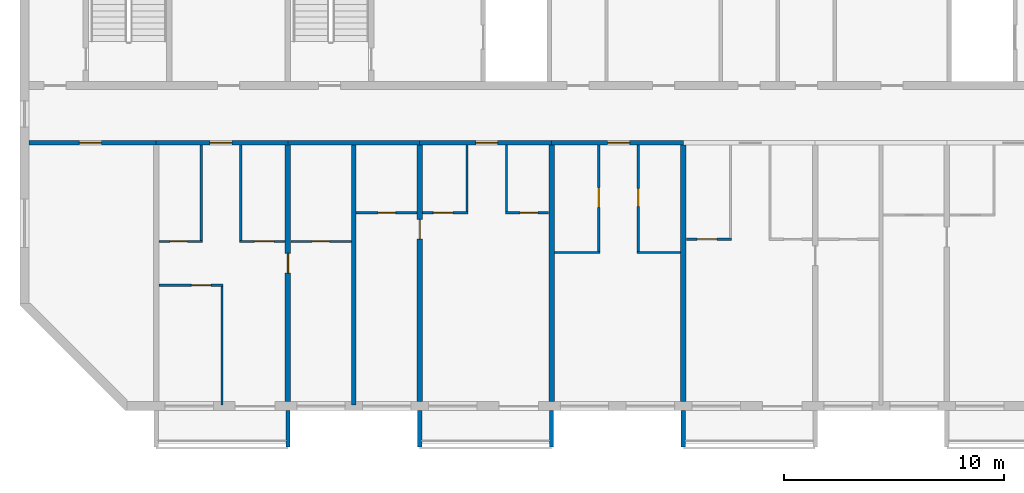
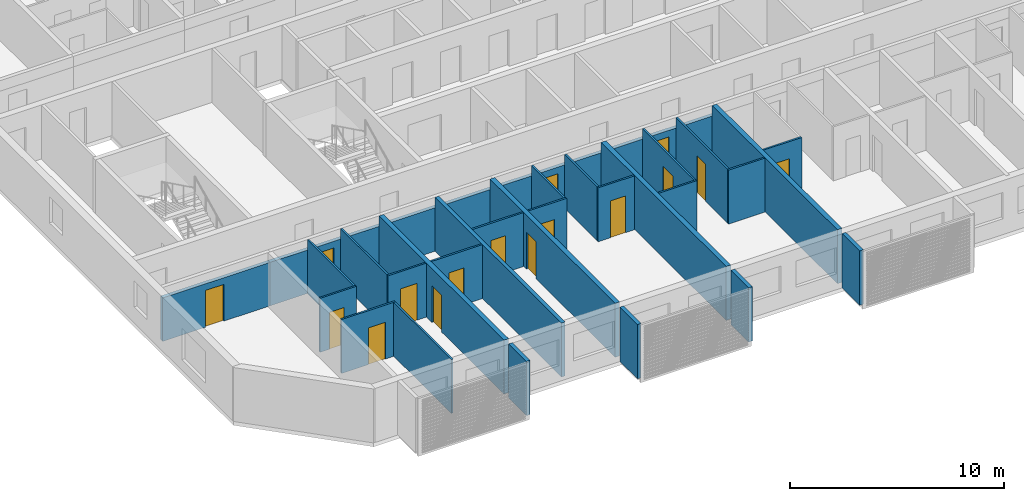
# One storey, part 2 of 27: 31 walls, 16 doors, 16 openings.
"""IFC4 building model written with IfcOpenShell, lengths in metres."""

from ifc_helpers import new_model, si_unit, direction, frame, frame_2d, origin, place, context, subcontext, project, spatial, polyline, rectangle, outline, extrude, source, transform, mapped, material, layer, layer_set, type_object, element, fill, save


model = new_model("IFC4")

# Units and contexts
model_context = context("Model", 3, precision=1e-05, world=origin(), true_north=direction((0.0, 1.0)))
body_context = subcontext(model_context, "Body", "Model", "MODEL_VIEW")
ifc_project = project(units=[si_unit("LENGTHUNIT", "METRE"), si_unit("AREAUNIT", "SQUARE_METRE"), si_unit("VOLUMEUNIT", "CUBIC_METRE"), si_unit("PLANEANGLEUNIT", "RADIAN"), si_unit("MASSUNIT", "GRAM", prefix="KILO")], contexts=[model_context])

# Site, building, storey
site_placement = place(None, origin())
site = spatial("IfcSite", under=ifc_project, at=site_placement, CompositionType="ELEMENT")
building_placement = place(site_placement, origin())
building = spatial("IfcBuilding", under=site, at=building_placement, Name="Poui Terraces", CompositionType="ELEMENT")
storey_placement = place(building_placement, frame((0.0, 0.0, 254.39990234375)))
storey = spatial("IfcBuildingStorey", under=building, at=storey_placement, Name="L71", CompositionType="ELEMENT", Elevation=254.39990234375)

# Wall, opening, door
ifc_material_1 = material(Name="Concrete 50 MPa", Category="concrete")
ifc_layer_1 = layer(ifc_material_1, 0.199951171875)
ifc_layer_set_1 = layer_set([ifc_layer_1], Name="Concrete 50 MPa")
wall_type_1 = type_object("IfcWallType", Name="CORRIDOR WALL 200 50MPa", PredefinedType="SHEAR", material=ifc_layer_set_1)
wall_1_placement = place(storey_placement, frame((18.199951171875, 12.0, 0.0), z_axis=(0.0, 0.0, 1.0), x_axis=(1.0, 0.0, 0.0)))
wall_1 = element("IfcWall", 1, at=wall_1_placement, inside=storey, type_object=wall_type_1, Name="CORRIDOR WALL LINE B BAY 1", PredefinedType="SHEAR", context=body_context, shape_type="SweptSolid", body=[
    extrude(rectangle(XDim=5.800048828125, YDim=0.199951171875, at=frame_2d((2.89990234375, 0.0))), origin(), (0.0, 0.0, 1.0), 2.47998046875),
])
opening_1_placement = place(wall_1_placement, frame((2.300048828125, 0.0, 0.0)))
opening_1 = element("IfcOpeningElement", 2, at=opening_1_placement, cuts=wall_1, Name="Opening D100", PredefinedType="OPENING", context=body_context, shape_type="SweptSolid", body=[
    extrude(rectangle(XDim=1.0, YDim=2.10009765625, at=frame_2d((0.5, 1.050048828125))), frame((0.0, 0.10986328125, 0.0), z_axis=(0.0, -1.0, 0.0), x_axis=(1.0, 0.0, 0.0)), (0.0, 0.0, 1.0), 0.219970703125),
])
ifc_material_2 = material(Name="Solid core timber door", Category="wood")
door_type_1 = type_object("IfcDoorType", Name="ACCESSIBLE INTERNAL DOOR 1000 X 2100", OperationType="NOTDEFINED", PredefinedType="DOOR", material=ifc_material_2)
door_1_placement = place(opening_1_placement, frame((1.0, 0.0, 0.0), z_axis=(0.0, 0.0, 1.0), x_axis=(-1.0, 0.0, 0.0)))
door_1 = element("IfcDoor", 3, at=door_1_placement, inside=storey, type_object=door_type_1, Name="ACCESSIBLE INTERNAL DOOR 061", OperationType="SINGLE_SWING_RIGHT", OverallHeight=2.10009765625, OverallWidth=1.0, PredefinedType="DOOR", context=body_context, shape_type="SweptSolid", body=[
    extrude(rectangle(XDim=1.0, YDim=2.10009765625, at=frame_2d((0.5, 1.050048828125))), frame((0.0, 0.02490234375, 0.0), z_axis=(0.0, -1.0, 0.0), x_axis=(1.0, 0.0, 0.0)), (0.0, 0.0, 1.0), 0.050048828125),
])
fill(opening_1, door_1)

wall_2_placement = place(storey_placement, frame((24.0, 12.0, 0.0), z_axis=(0.0, 0.0, 1.0), x_axis=(1.0, 0.0, 0.0)))
wall_2 = element("IfcWall", 4, at=wall_2_placement, inside=storey, type_object=wall_type_1, Name="CORRIDOR WALL LINE B BAY 2", PredefinedType="SHEAR", context=body_context, shape_type="SweptSolid", body=[
    extrude(rectangle(XDim=6.0, YDim=0.199951171875, at=frame_2d((3.0, 0.0))), origin(), (0.0, 0.0, 1.0), 2.47998046875),
])
opening_2_placement = place(wall_2_placement, frame((2.449951171875, 0.0, 0.0)))
opening_2 = element("IfcOpeningElement", 5, at=opening_2_placement, cuts=wall_2, Name="Opening FD30S", PredefinedType="OPENING", context=body_context, shape_type="SweptSolid", body=[
    extrude(rectangle(XDim=1.0, YDim=2.10009765625, at=frame_2d((0.5, 1.050048828125))), frame((0.0, 0.10986328125, 0.0), z_axis=(0.0, -1.0, 0.0), x_axis=(1.0, 0.0, 0.0)), (0.0, 0.0, 1.0), 0.219970703125),
])
ifc_material_3 = material(Name="Steel fire door", Category="steel")
door_type_2 = type_object("IfcDoorType", Name="FLAT ENTRANCE DOOR 1000 X 2100", OperationType="NOTDEFINED", PredefinedType="DOOR", material=ifc_material_3)
door_2_placement = place(opening_2_placement, frame((1.0, 0.0, 0.0), z_axis=(0.0, 0.0, 1.0), x_axis=(-1.0, 0.0, 0.0)))
door_2 = element("IfcDoor", 6, at=door_2_placement, inside=storey, type_object=door_type_2, Name="FLAT ENTRANCE DOOR 065", OperationType="SINGLE_SWING_RIGHT", OverallHeight=2.10009765625, OverallWidth=1.0, PredefinedType="DOOR", context=body_context, shape_type="SweptSolid", body=[
    extrude(rectangle(XDim=1.0, YDim=2.10009765625, at=frame_2d((0.5, 1.050048828125))), frame((0.0, 0.02490234375, 0.0), z_axis=(0.0, -1.0, 0.0), x_axis=(1.0, 0.0, 0.0)), (0.0, 0.0, 1.0), 0.050048828125),
])
fill(opening_2, door_2)

# Wall
wall_3_placement = place(storey_placement, frame((30.0, 12.0, 0.0), z_axis=(0.0, 0.0, 1.0), x_axis=(1.0, 0.0, 0.0)))
element("IfcWall", 7, at=wall_3_placement, inside=storey, type_object=wall_type_1, Name="CORRIDOR WALL LINE B BAY 3", PredefinedType="SHEAR", context=body_context, shape_type="SweptSolid", body=[
    extrude(rectangle(XDim=6.0, YDim=0.199951171875, at=frame_2d((3.0, 0.0))), origin(), (0.0, 0.0, 1.0), 2.47998046875),
])

# Wall, opening, door
wall_4_placement = place(storey_placement, frame((36.0, 12.0, 0.0), z_axis=(0.0, 0.0, 1.0), x_axis=(1.0, 0.0, 0.0)))
wall_4 = element("IfcWall", 8, at=wall_4_placement, inside=storey, type_object=wall_type_1, Name="CORRIDOR WALL LINE B BAY 4", PredefinedType="SHEAR", context=body_context, shape_type="SweptSolid", body=[
    extrude(rectangle(XDim=6.0, YDim=0.199951171875, at=frame_2d((3.0, 0.0))), origin(), (0.0, 0.0, 1.0), 2.47998046875),
])
opening_3_placement = place(wall_4_placement, frame((2.550048828125, 0.0, 0.0)))
opening_3 = element("IfcOpeningElement", 9, at=opening_3_placement, cuts=wall_4, Name="Opening FD30S", PredefinedType="OPENING", context=body_context, shape_type="SweptSolid", body=[
    extrude(rectangle(XDim=1.0, YDim=2.10009765625, at=frame_2d((0.5, 1.050048828125))), frame((0.0, 0.10986328125, 0.0), z_axis=(0.0, -1.0, 0.0), x_axis=(1.0, 0.0, 0.0)), (0.0, 0.0, 1.0), 0.219970703125),
])
door_3_placement = place(opening_3_placement, frame((1.0, 0.0, 0.0), z_axis=(0.0, 0.0, 1.0), x_axis=(-1.0, 0.0, 0.0)))
door_3 = element("IfcDoor", 10, at=door_3_placement, inside=storey, type_object=door_type_2, Name="FLAT ENTRANCE DOOR 071", OperationType="SINGLE_SWING_LEFT", OverallHeight=2.10009765625, OverallWidth=1.0, PredefinedType="DOOR", context=body_context, shape_type="SweptSolid", body=[
    extrude(rectangle(XDim=1.0, YDim=2.10009765625, at=frame_2d((0.5, 1.050048828125))), frame((0.0, 0.02490234375, 0.0), z_axis=(0.0, -1.0, 0.0), x_axis=(1.0, 0.0, 0.0)), (0.0, 0.0, 1.0), 0.050048828125),
])
fill(opening_3, door_3)

wall_5_placement = place(storey_placement, frame((42.0, 12.0, 0.0), z_axis=(0.0, 0.0, 1.0), x_axis=(1.0, 0.0, 0.0)))
wall_5 = element("IfcWall", 11, at=wall_5_placement, inside=storey, type_object=wall_type_1, Name="CORRIDOR WALL LINE B BAY 5", PredefinedType="SHEAR", context=body_context, shape_type="SweptSolid", body=[
    extrude(rectangle(XDim=6.0, YDim=0.199951171875, at=frame_2d((3.0, 0.0))), origin(), (0.0, 0.0, 1.0), 2.47998046875),
])
opening_4_placement = place(wall_5_placement, frame((2.550048828125, 0.0, 0.0)))
opening_4 = element("IfcOpeningElement", 12, at=opening_4_placement, cuts=wall_5, Name="Opening FD30S", PredefinedType="OPENING", context=body_context, shape_type="SweptSolid", body=[
    extrude(rectangle(XDim=1.0, YDim=2.10009765625, at=frame_2d((0.5, 1.050048828125))), frame((0.0, 0.10986328125, 0.0), z_axis=(0.0, -1.0, 0.0), x_axis=(1.0, 0.0, 0.0)), (0.0, 0.0, 1.0), 0.219970703125),
])
door_4_placement = place(opening_4_placement, frame((1.0, 0.0, 0.0), z_axis=(0.0, 0.0, 1.0), x_axis=(-1.0, 0.0, 0.0)))
door_4 = element("IfcDoor", 13, at=door_4_placement, inside=storey, type_object=door_type_2, Name="FLAT ENTRANCE DOOR 074", OperationType="SINGLE_SWING_LEFT", OverallHeight=2.10009765625, OverallWidth=1.0, PredefinedType="DOOR", context=body_context, shape_type="SweptSolid", body=[
    extrude(rectangle(XDim=1.0, YDim=2.10009765625, at=frame_2d((0.5, 1.050048828125))), frame((0.0, 0.02490234375, 0.0), z_axis=(0.0, -1.0, 0.0), x_axis=(1.0, 0.0, 0.0)), (0.0, 0.0, 1.0), 0.050048828125),
])
fill(opening_4, door_4)

ifc_layer_2 = layer(ifc_material_1, 0.25)
ifc_layer_set_2 = layer_set([ifc_layer_2], Name="Concrete 50 MPa")
wall_type_2 = type_object("IfcWallType", Name="CROSS WALL 250 50MPa", PredefinedType="SHEAR", material=ifc_layer_set_2)
wall_6_placement = place(storey_placement, frame((30.0, 0.199951171875, 0.0), z_axis=(0.0, 0.0, 1.0), x_axis=(0.0, 1.0, 0.0)))
wall_6 = element("IfcWall", 14, at=wall_6_placement, inside=storey, type_object=wall_type_2, Name="CROSS WALL LINE 6 SOUTH", PredefinedType="SHEAR", context=body_context, shape_type="SweptSolid", body=[
    extrude(rectangle(XDim=11.699951171875, YDim=0.25, at=frame_2d((5.85009765625, 0.0))), origin(), (0.0, 0.0, 1.0), 3.080078125),
])
opening_5_placement = place(wall_6_placement, frame((5.85009765625, 0.0, 0.0)))
opening_5 = element("IfcOpeningElement", 15, at=opening_5_placement, cuts=wall_6, Name="Opening D90", PredefinedType="OPENING", context=body_context, shape_type="SweptSolid", body=[
    extrude(rectangle(XDim=0.89990234375, YDim=2.10009765625, at=frame_2d((0.449951171875, 1.050048828125))), frame((0.0, 0.135009765625, 0.0), z_axis=(0.0, -1.0, 0.0), x_axis=(1.0, 0.0, 0.0)), (0.0, 0.0, 1.0), 0.27001953125),
])
door_type_3 = type_object("IfcDoorType", Name="INTERNAL DOOR 900 X 2100", OperationType="NOTDEFINED", PredefinedType="DOOR", material=ifc_material_2)
door_5_placement = place(opening_5_placement, frame((0.89990234375, 0.0, 0.0), z_axis=(0.0, 0.0, 1.0), x_axis=(-1.0, 0.0, 0.0)))
door_5 = element("IfcDoor", 16, at=door_5_placement, inside=storey, type_object=door_type_3, Name="INTERNAL DOOR 067", OperationType="SINGLE_SWING_LEFT", OverallHeight=2.10009765625, OverallWidth=0.89990234375, PredefinedType="DOOR", context=body_context, shape_type="SweptSolid", body=[
    extrude(rectangle(XDim=0.89990234375, YDim=2.10009765625, at=frame_2d((0.449951171875, 1.050048828125))), frame((0.0, 0.02490234375, 0.0), z_axis=(0.0, -1.0, 0.0), x_axis=(1.0, 0.0, 0.0)), (0.0, 0.0, 1.0), 0.050048828125),
])
fill(opening_5, door_5)

wall_7_placement = place(storey_placement, frame((36.0, 0.199951171875, 0.0), z_axis=(0.0, 0.0, 1.0), x_axis=(0.0, 1.0, 0.0)))
wall_7 = element("IfcWall", 17, at=wall_7_placement, inside=storey, type_object=wall_type_2, Name="CROSS WALL LINE 7 SOUTH", PredefinedType="SHEAR", context=body_context, shape_type="SweptSolid", body=[
    extrude(rectangle(XDim=11.699951171875, YDim=0.25, at=frame_2d((5.85009765625, 0.0))), origin(), (0.0, 0.0, 1.0), 3.080078125),
])
opening_6_placement = place(wall_7_placement, frame((7.39990234375, 0.0, 0.0)))
opening_6 = element("IfcOpeningElement", 18, at=opening_6_placement, cuts=wall_7, Name="Opening D90", PredefinedType="OPENING", context=body_context, shape_type="SweptSolid", body=[
    extrude(rectangle(XDim=0.89990234375, YDim=2.10009765625, at=frame_2d((0.449951171875, 1.050048828125))), frame((0.0, 0.135009765625, 0.0), z_axis=(0.0, -1.0, 0.0), x_axis=(1.0, 0.0, 0.0)), (0.0, 0.0, 1.0), 0.27001953125),
])
door_6_placement = place(opening_6_placement, origin())
door_6 = element("IfcDoor", 19, at=door_6_placement, inside=storey, type_object=door_type_3, Name="INTERNAL DOOR 069", OperationType="SINGLE_SWING_RIGHT", OverallHeight=2.10009765625, OverallWidth=0.89990234375, PredefinedType="DOOR", context=body_context, shape_type="SweptSolid", body=[
    extrude(rectangle(XDim=0.89990234375, YDim=2.10009765625, at=frame_2d((0.449951171875, 1.050048828125))), frame((0.0, 0.02490234375, 0.0), z_axis=(0.0, -1.0, 0.0), x_axis=(1.0, 0.0, 0.0)), (0.0, 0.0, 1.0), 0.050048828125),
])
fill(opening_6, door_6)

# Walls
for number, where, z_axis, x_axis, name in (
    (20, (42.0, 0.199951171875, 0.0), (0.0, 0.0, 1.0), (0.0, 1.0, 0.0), "CROSS WALL LINE 8 SOUTH"),
    (21, (48.0, 0.199951171875, 0.0), (0.0, 0.0, 1.0), (0.0, 1.0, 0.0), "CROSS WALL LINE 9 SOUTH"),
):
    element("IfcWall", number, at=place(storey_placement, frame(where, z_axis=z_axis, x_axis=x_axis)), inside=storey, type_object=wall_type_2, Name=name, PredefinedType="SHEAR", context=body_context, shape_type="SweptSolid", body=[
        extrude(rectangle(XDim=11.699951171875, YDim=0.25, at=frame_2d((5.85009765625, 0.0))), origin(), (0.0, 0.0, 1.0), 3.080078125),
    ])

# Wall, opening, door
ifc_material_4 = material(Name="Plasterboard partition")
ifc_layer_3 = layer(ifc_material_4, 0.10009765625)
ifc_layer_set_3 = layer_set([ifc_layer_3], Name="Plasterboard partition")
wall_type_3 = type_object("IfcWallType", Name="FLAT PARTITION 100", PredefinedType="PARTITIONING", material=ifc_layer_set_3)
wall_8_placement = place(storey_placement, frame((24.135009765625, 5.5, 0.0), z_axis=(0.0, 0.0, 1.0), x_axis=(1.0, 0.0, 0.0)))
wall_8 = element("IfcWall", 22, at=wall_8_placement, inside=storey, type_object=wall_type_3, Name="FLAT PARTITION 100", PredefinedType="PARTITIONING", context=body_context, shape_type="SweptSolid", body=[
    extrude(rectangle(XDim=2.9150390625, YDim=0.10009765625, at=frame_2d((1.45751953125, 0.0))), origin(), (0.0, 0.0, 1.0), 3.080078125),
])
opening_7_placement = place(wall_8_placement, frame((1.465087890625, 0.0, 0.0)))
opening_7 = element("IfcOpeningElement", 23, at=opening_7_placement, cuts=wall_8, Name="Opening D90", PredefinedType="OPENING", context=body_context, shape_type="SweptSolid", body=[
    extrude(rectangle(XDim=0.89990234375, YDim=2.10009765625, at=frame_2d((0.449951171875, 1.050048828125))), frame((0.0, 0.06005859375, 0.0), z_axis=(0.0, -1.0, 0.0), x_axis=(1.0, 0.0, 0.0)), (0.0, 0.0, 1.0), 0.1201171875),
])
door_7_placement = place(opening_7_placement, frame((0.89990234375, 0.0, 0.0), z_axis=(0.0, 0.0, 1.0), x_axis=(-1.0, 0.0, 0.0)))
door_7 = element("IfcDoor", 24, at=door_7_placement, inside=storey, type_object=door_type_3, Name="INTERNAL DOOR 064", OperationType="SINGLE_SWING_LEFT", OverallHeight=2.10009765625, OverallWidth=0.89990234375, PredefinedType="DOOR", context=body_context, shape_type="SweptSolid", body=[
    extrude(rectangle(XDim=0.89990234375, YDim=2.10009765625, at=frame_2d((0.449951171875, 1.050048828125))), frame((0.0, 0.02490234375, 0.0), z_axis=(0.0, -1.0, 0.0), x_axis=(1.0, 0.0, 0.0)), (0.0, 0.0, 1.0), 0.050048828125),
])
fill(opening_7, door_7)

# Walls
wall_9_placement = place(storey_placement, frame((42.135009765625, 7.0, 0.0), z_axis=(0.0, 0.0, 1.0), x_axis=(1.0, 0.0, 0.0)))
element("IfcWall", 25, at=wall_9_placement, inside=storey, type_object=wall_type_3, Name="FLAT PARTITION 100", PredefinedType="PARTITIONING", context=body_context, shape_type="SweptSolid", body=[
    extrude(rectangle(XDim=2.06494140625, YDim=0.10009765625, at=frame_2d((1.032470703125, 0.0))), origin(), (0.0, 0.0, 1.0), 3.080078125),
])
wall_10_placement = place(storey_placement, frame((45.89990234375, 7.0, 0.0), z_axis=(0.0, 0.0, 1.0), x_axis=(1.0, 0.0, 0.0)))
element("IfcWall", 26, at=wall_10_placement, inside=storey, type_object=wall_type_3, Name="FLAT PARTITION 100", PredefinedType="PARTITIONING", context=body_context, shape_type="SweptSolid", body=[
    extrude(rectangle(XDim=1.965087890625, YDim=0.10009765625, at=frame_2d((0.982421875, 0.0))), origin(), (0.0, 0.0, 1.0), 3.080078125),
])

# Wall, opening, door
wall_11_placement = place(storey_placement, frame((24.135009765625, 7.5, 0.0), z_axis=(0.0, 0.0, 1.0), x_axis=(1.0, 0.0, 0.0)))
wall_11 = element("IfcWall", 27, at=wall_11_placement, inside=storey, type_object=wall_type_3, Name="FLAT PARTITION 100", PredefinedType="PARTITIONING", context=body_context, shape_type="SweptSolid", body=[
    extrude(rectangle(XDim=1.965087890625, YDim=0.10009765625, at=frame_2d((0.982421875, 0.0))), origin(), (0.0, 0.0, 1.0), 3.080078125),
])
opening_8_placement = place(wall_11_placement, frame((0.489990234375, 0.0, 0.0)))
opening_8 = element("IfcOpeningElement", 28, at=opening_8_placement, cuts=wall_11, Name="Opening D80", PredefinedType="OPENING", context=body_context, shape_type="SweptSolid", body=[
    extrude(rectangle(XDim=0.800048828125, YDim=2.10009765625, at=frame_2d((0.39990234375, 1.050048828125))), frame((0.0, 0.06005859375, 0.0), z_axis=(0.0, -1.0, 0.0), x_axis=(1.0, 0.0, 0.0)), (0.0, 0.0, 1.0), 0.1201171875),
])
door_type_4 = type_object("IfcDoorType", Name="BATHROOM, LAUNDRY AND STORE DOOR 800 X 2100", OperationType="NOTDEFINED", PredefinedType="DOOR", material=ifc_material_2)
door_8_placement = place(opening_8_placement, origin())
door_8 = element("IfcDoor", 29, at=door_8_placement, inside=storey, type_object=door_type_4, Name="BATHROOM, LAUNDRY AND STORE DOOR 063", OperationType="SINGLE_SWING_RIGHT", OverallHeight=2.10009765625, OverallWidth=0.800048828125, PredefinedType="DOOR", context=body_context, shape_type="SweptSolid", body=[
    extrude(rectangle(XDim=0.800048828125, YDim=2.10009765625, at=frame_2d((0.39990234375, 1.050048828125))), frame((0.0, 0.02490234375, 0.0), z_axis=(0.0, -1.0, 0.0), x_axis=(1.0, 0.0, 0.0)), (0.0, 0.0, 1.0), 0.050048828125),
])
fill(opening_8, door_8)

wall_12_placement = place(storey_placement, frame((27.800048828125, 7.5, 0.0), z_axis=(0.0, 0.0, 1.0), x_axis=(1.0, 0.0, 0.0)))
wall_12 = element("IfcWall", 30, at=wall_12_placement, inside=storey, type_object=wall_type_3, Name="FLAT PARTITION 100", PredefinedType="PARTITIONING", context=body_context, shape_type="SweptSolid", body=[
    extrude(rectangle(XDim=2.06494140625, YDim=0.10009765625, at=frame_2d((1.032470703125, 0.0))), origin(), (0.0, 0.0, 1.0), 3.080078125),
])
opening_9_placement = place(wall_12_placement, frame((0.675048828125, 0.0, 0.0)))
opening_9 = element("IfcOpeningElement", 31, at=opening_9_placement, cuts=wall_12, Name="Opening D90", PredefinedType="OPENING", context=body_context, shape_type="SweptSolid", body=[
    extrude(rectangle(XDim=0.89990234375, YDim=2.10009765625, at=frame_2d((0.449951171875, 1.050048828125))), frame((0.0, 0.06005859375, 0.0), z_axis=(0.0, -1.0, 0.0), x_axis=(1.0, 0.0, 0.0)), (0.0, 0.0, 1.0), 0.1201171875),
])
door_9_placement = place(opening_9_placement, origin())
door_9 = element("IfcDoor", 32, at=door_9_placement, inside=storey, type_object=door_type_3, Name="INTERNAL DOOR 066", OperationType="SINGLE_SWING_LEFT", OverallHeight=2.10009765625, OverallWidth=0.89990234375, PredefinedType="DOOR", context=body_context, shape_type="SweptSolid", body=[
    extrude(rectangle(XDim=0.89990234375, YDim=2.10009765625, at=frame_2d((0.449951171875, 1.050048828125))), frame((0.0, 0.02490234375, 0.0), z_axis=(0.0, -1.0, 0.0), x_axis=(1.0, 0.0, 0.0)), (0.0, 0.0, 1.0), 0.050048828125),
])
fill(opening_9, door_9)

wall_13_placement = place(storey_placement, frame((30.135009765625, 7.5, 0.0), z_axis=(0.0, 0.0, 1.0), x_axis=(1.0, 0.0, 0.0)))
wall_13 = element("IfcWall", 33, at=wall_13_placement, inside=storey, type_object=wall_type_3, Name="FLAT PARTITION 100", PredefinedType="PARTITIONING", context=body_context, shape_type="SweptSolid", body=[
    extrude(rectangle(XDim=2.764892578125, YDim=0.10009765625, at=frame_2d((1.38232421875, 0.0))), origin(), (0.0, 0.0, 1.0), 3.080078125),
])
opening_10_placement = place(wall_13_placement, frame((0.965087890625, 0.0, 0.0)))
opening_10 = element("IfcOpeningElement", 34, at=opening_10_placement, cuts=wall_13, Name="Opening D80", PredefinedType="OPENING", context=body_context, shape_type="SweptSolid", body=[
    extrude(rectangle(XDim=0.800048828125, YDim=2.10009765625, at=frame_2d((0.39990234375, 1.050048828125))), frame((0.0, 0.06005859375, 0.0), z_axis=(0.0, -1.0, 0.0), x_axis=(1.0, 0.0, 0.0)), (0.0, 0.0, 1.0), 0.1201171875),
])
door_10_placement = place(opening_10_placement, origin())
door_10 = element("IfcDoor", 35, at=door_10_placement, inside=storey, type_object=door_type_4, Name="BATHROOM, LAUNDRY AND STORE DOOR 062", OperationType="SINGLE_SWING_RIGHT", OverallHeight=2.10009765625, OverallWidth=0.800048828125, PredefinedType="DOOR", context=body_context, shape_type="SweptSolid", body=[
    extrude(rectangle(XDim=0.800048828125, YDim=2.10009765625, at=frame_2d((0.39990234375, 1.050048828125))), frame((0.0, 0.02490234375, 0.0), z_axis=(0.0, -1.0, 0.0), x_axis=(1.0, 0.0, 0.0)), (0.0, 0.0, 1.0), 0.050048828125),
])
fill(opening_10, door_10)

wall_14_placement = place(storey_placement, frame((48.135009765625, 7.60009765625, 0.0), z_axis=(0.0, 0.0, 1.0), x_axis=(1.0, 0.0, 0.0)))
wall_14 = element("IfcWall", 36, at=wall_14_placement, inside=storey, type_object=wall_type_3, Name="FLAT PARTITION 100", PredefinedType="PARTITIONING", context=body_context, shape_type="SweptSolid", body=[
    extrude(rectangle(XDim=2.06494140625, YDim=0.10009765625, at=frame_2d((1.032470703125, 0.0))), origin(), (0.0, 0.0, 1.0), 3.080078125),
])
opening_11_placement = place(wall_14_placement, frame((0.489990234375, 0.0, 0.0)))
opening_11 = element("IfcOpeningElement", 37, at=opening_11_placement, cuts=wall_14, Name="Opening D90", PredefinedType="OPENING", context=body_context, shape_type="SweptSolid", body=[
    extrude(rectangle(XDim=0.89990234375, YDim=2.10009765625, at=frame_2d((0.449951171875, 1.050048828125))), frame((0.0, 0.06005859375, 0.0), z_axis=(0.0, -1.0, 0.0), x_axis=(1.0, 0.0, 0.0)), (0.0, 0.0, 1.0), 0.1201171875),
])
door_11_placement = place(opening_11_placement, origin())
door_11 = element("IfcDoor", 38, at=door_11_placement, inside=storey, type_object=door_type_3, Name="INTERNAL DOOR 077", OperationType="SINGLE_SWING_RIGHT", OverallHeight=2.10009765625, OverallWidth=0.89990234375, PredefinedType="DOOR", context=body_context, shape_type="SweptSolid", body=[
    extrude(rectangle(XDim=0.89990234375, YDim=2.10009765625, at=frame_2d((0.449951171875, 1.050048828125))), frame((0.0, 0.02490234375, 0.0), z_axis=(0.0, -1.0, 0.0), x_axis=(1.0, 0.0, 0.0)), (0.0, 0.0, 1.0), 0.050048828125),
])
fill(opening_11, door_11)

wall_15_placement = place(storey_placement, frame((33.10009765625, 8.800048828125, 0.0), z_axis=(0.0, 0.0, 1.0), x_axis=(1.0, 0.0, 0.0)))
wall_15 = element("IfcWall", 39, at=wall_15_placement, inside=storey, type_object=wall_type_3, Name="FLAT PARTITION 100", PredefinedType="PARTITIONING", context=body_context, shape_type="SweptSolid", body=[
    extrude(rectangle(XDim=2.764892578125, YDim=0.10009765625, at=frame_2d((1.38232421875, 0.0))), origin(), (0.0, 0.0, 1.0), 3.080078125),
])
opening_12_placement = place(wall_15_placement, frame((1.0, 0.0, 0.0)))
opening_12 = element("IfcOpeningElement", 40, at=opening_12_placement, cuts=wall_15, Name="Opening D80", PredefinedType="OPENING", context=body_context, shape_type="SweptSolid", body=[
    extrude(rectangle(XDim=0.800048828125, YDim=2.10009765625, at=frame_2d((0.39990234375, 1.050048828125))), frame((0.0, 0.06005859375, 0.0), z_axis=(0.0, -1.0, 0.0), x_axis=(1.0, 0.0, 0.0)), (0.0, 0.0, 1.0), 0.1201171875),
])
door_12_placement = place(opening_12_placement, origin())
door_12 = element("IfcDoor", 41, at=door_12_placement, inside=storey, type_object=door_type_4, Name="BATHROOM, LAUNDRY AND STORE DOOR 068", OperationType="SINGLE_SWING_LEFT", OverallHeight=2.10009765625, OverallWidth=0.800048828125, PredefinedType="DOOR", context=body_context, shape_type="SweptSolid", body=[
    extrude(rectangle(XDim=0.800048828125, YDim=2.10009765625, at=frame_2d((0.39990234375, 1.050048828125))), frame((0.0, 0.02490234375, 0.0), z_axis=(0.0, -1.0, 0.0), x_axis=(1.0, 0.0, 0.0)), (0.0, 0.0, 1.0), 0.050048828125),
])
fill(opening_12, door_12)

wall_16_placement = place(storey_placement, frame((36.135009765625, 8.800048828125, 0.0), z_axis=(0.0, 0.0, 1.0), x_axis=(1.0, 0.0, 0.0)))
wall_16 = element("IfcWall", 42, at=wall_16_placement, inside=storey, type_object=wall_type_3, Name="FLAT PARTITION 100", PredefinedType="PARTITIONING", context=body_context, shape_type="SweptSolid", body=[
    extrude(rectangle(XDim=2.06494140625, YDim=0.10009765625, at=frame_2d((1.032470703125, 0.0))), origin(), (0.0, 0.0, 1.0), 3.080078125),
])
opening_13_placement = place(wall_16_placement, frame((0.489990234375, 0.0, 0.0)))
opening_13 = element("IfcOpeningElement", 43, at=opening_13_placement, cuts=wall_16, Name="Opening D90", PredefinedType="OPENING", context=body_context, shape_type="SweptSolid", body=[
    extrude(rectangle(XDim=0.89990234375, YDim=2.10009765625, at=frame_2d((0.449951171875, 1.050048828125))), frame((0.0, 0.06005859375, 0.0), z_axis=(0.0, -1.0, 0.0), x_axis=(1.0, 0.0, 0.0)), (0.0, 0.0, 1.0), 0.1201171875),
])
door_13_placement = place(opening_13_placement, origin())
door_13 = element("IfcDoor", 44, at=door_13_placement, inside=storey, type_object=door_type_3, Name="INTERNAL DOOR 070", OperationType="SINGLE_SWING_RIGHT", OverallHeight=2.10009765625, OverallWidth=0.89990234375, PredefinedType="DOOR", context=body_context, shape_type="SweptSolid", body=[
    extrude(rectangle(XDim=0.89990234375, YDim=2.10009765625, at=frame_2d((0.449951171875, 1.050048828125))), frame((0.0, 0.02490234375, 0.0), z_axis=(0.0, -1.0, 0.0), x_axis=(1.0, 0.0, 0.0)), (0.0, 0.0, 1.0), 0.050048828125),
])
fill(opening_13, door_13)

wall_17_placement = place(storey_placement, frame((39.89990234375, 8.800048828125, 0.0), z_axis=(0.0, 0.0, 1.0), x_axis=(1.0, 0.0, 0.0)))
wall_17 = element("IfcWall", 45, at=wall_17_placement, inside=storey, type_object=wall_type_3, Name="FLAT PARTITION 100", PredefinedType="PARTITIONING", context=body_context, shape_type="SweptSolid", body=[
    extrude(rectangle(XDim=1.965087890625, YDim=0.10009765625, at=frame_2d((0.982421875, 0.0))), origin(), (0.0, 0.0, 1.0), 3.080078125),
])
opening_14_placement = place(wall_17_placement, frame((0.675048828125, 0.0, 0.0)))
opening_14 = element("IfcOpeningElement", 46, at=opening_14_placement, cuts=wall_17, Name="Opening D80", PredefinedType="OPENING", context=body_context, shape_type="SweptSolid", body=[
    extrude(rectangle(XDim=0.800048828125, YDim=2.10009765625, at=frame_2d((0.39990234375, 1.050048828125))), frame((0.0, 0.06005859375, 0.0), z_axis=(0.0, -1.0, 0.0), x_axis=(1.0, 0.0, 0.0)), (0.0, 0.0, 1.0), 0.1201171875),
])
door_14_placement = place(opening_14_placement, origin())
door_14 = element("IfcDoor", 47, at=door_14_placement, inside=storey, type_object=door_type_4, Name="BATHROOM, LAUNDRY AND STORE DOOR 072", OperationType="SINGLE_SWING_LEFT", OverallHeight=2.10009765625, OverallWidth=0.800048828125, PredefinedType="DOOR", context=body_context, shape_type="SweptSolid", body=[
    extrude(rectangle(XDim=0.800048828125, YDim=2.10009765625, at=frame_2d((0.39990234375, 1.050048828125))), frame((0.0, 0.02490234375, 0.0), z_axis=(0.0, -1.0, 0.0), x_axis=(1.0, 0.0, 0.0)), (0.0, 0.0, 1.0), 0.050048828125),
])
fill(opening_14, door_14)

# Walls
wall_18_placement = place(storey_placement, frame((26.050048828125, 7.550048828125, 0.0), z_axis=(0.0, 0.0, 1.0), x_axis=(0.0, 1.0, 0.0)))
element("IfcWall", 48, at=wall_18_placement, inside=storey, type_object=wall_type_3, Name="FLAT PARTITION 100", PredefinedType="PARTITIONING", context=body_context, shape_type="SweptSolid", body=[
    extrude(rectangle(XDim=4.33984375, YDim=0.10009765625, at=frame_2d((2.169921875, 0.0))), origin(), (0.0, 0.0, 1.0), 3.080078125),
])
wall_19_placement = place(storey_placement, frame((27.0, 0.06005859375, 0.0), z_axis=(0.0, 0.0, 1.0), x_axis=(0.0, 1.0, 0.0)))
element("IfcWall", 49, at=wall_19_placement, inside=storey, type_object=wall_type_3, Name="FLAT PARTITION 100", PredefinedType="PARTITIONING", context=body_context, shape_type="SweptSolid", body=[
    extrude(rectangle(XDim=5.389892578125, YDim=0.10009765625, at=frame_2d((2.69482421875, 0.0))), origin(), (0.0, 0.0, 1.0), 3.080078125),
])
wall_20_placement = place(storey_placement, frame((27.85009765625, 7.550048828125, 0.0), z_axis=(0.0, 0.0, 1.0), x_axis=(0.0, 1.0, 0.0)))
element("IfcWall", 50, at=wall_20_placement, inside=storey, type_object=wall_type_3, Name="FLAT PARTITION 100", PredefinedType="PARTITIONING", context=body_context, shape_type="SweptSolid", body=[
    extrude(rectangle(XDim=4.33984375, YDim=0.10009765625, at=frame_2d((2.169921875, 0.0))), origin(), (0.0, 0.0, 1.0), 3.080078125),
])
for number, where, z_axis, x_axis, name in (
    (51, (38.14990234375, 8.85009765625, 0.0), (0.0, 0.0, 1.0), (0.0, 1.0, 0.0), "FLAT PARTITION 100"),
    (52, (39.949951171875, 8.85009765625, 0.0), (0.0, 0.0, 1.0), (0.0, 1.0, 0.0), "FLAT PARTITION 100"),
):
    element("IfcWall", number, at=place(storey_placement, frame(where, z_axis=z_axis, x_axis=x_axis)), inside=storey, type_object=wall_type_3, Name=name, PredefinedType="PARTITIONING", context=body_context, shape_type="SweptSolid", body=[
        extrude(rectangle(XDim=3.039794921875, YDim=0.10009765625, at=frame_2d((1.52001953125, 0.0))), origin(), (0.0, 0.0, 1.0), 3.080078125),
    ])

# Wall, opening, door
wall_21_placement = place(storey_placement, frame((44.14990234375, 7.050048828125, 0.0), z_axis=(0.0, 0.0, 1.0), x_axis=(0.0, 1.0, 0.0)))
wall_21 = element("IfcWall", 53, at=wall_21_placement, inside=storey, type_object=wall_type_3, Name="FLAT PARTITION 100", PredefinedType="PARTITIONING", context=body_context, shape_type="SweptSolid", body=[
    extrude(rectangle(XDim=4.83984375, YDim=0.10009765625, at=frame_2d((2.419921875, 0.0))), origin(), (0.0, 0.0, 1.0), 3.080078125),
])
opening_15_placement = place(wall_21_placement, frame((2.0, 0.0, 0.0)))
opening_15 = element("IfcOpeningElement", 54, at=opening_15_placement, cuts=wall_21, Name="Opening D90", PredefinedType="OPENING", context=body_context, shape_type="SweptSolid", body=[
    extrude(rectangle(XDim=0.89990234375, YDim=2.10009765625, at=frame_2d((0.449951171875, 1.050048828125))), frame((0.0, 0.06005859375, 0.0), z_axis=(0.0, -1.0, 0.0), x_axis=(1.0, 0.0, 0.0)), (0.0, 0.0, 1.0), 0.1201171875),
])
door_15_placement = place(opening_15_placement, origin())
door_15 = element("IfcDoor", 55, at=door_15_placement, inside=storey, type_object=door_type_3, Name="INTERNAL DOOR 073", OperationType="SINGLE_SWING_LEFT", OverallHeight=2.10009765625, OverallWidth=0.89990234375, PredefinedType="DOOR", context=body_context, shape_type="SweptSolid", body=[
    extrude(rectangle(XDim=0.89990234375, YDim=2.10009765625, at=frame_2d((0.449951171875, 1.050048828125))), frame((0.0, 0.02490234375, 0.0), z_axis=(0.0, -1.0, 0.0), x_axis=(1.0, 0.0, 0.0)), (0.0, 0.0, 1.0), 0.050048828125),
])
fill(opening_15, door_15)

wall_22_placement = place(storey_placement, frame((45.949951171875, 7.050048828125, 0.0), z_axis=(0.0, 0.0, 1.0), x_axis=(0.0, 1.0, 0.0)))
wall_22 = element("IfcWall", 56, at=wall_22_placement, inside=storey, type_object=wall_type_3, Name="FLAT PARTITION 100", PredefinedType="PARTITIONING", context=body_context, shape_type="SweptSolid", body=[
    extrude(rectangle(XDim=4.83984375, YDim=0.10009765625, at=frame_2d((2.419921875, 0.0))), origin(), (0.0, 0.0, 1.0), 3.080078125),
])
opening_16_placement = place(wall_22_placement, frame((2.050048828125, 0.0, 0.0)))
opening_16 = element("IfcOpeningElement", 57, at=opening_16_placement, cuts=wall_22, Name="Opening D80", PredefinedType="OPENING", context=body_context, shape_type="SweptSolid", body=[
    extrude(rectangle(XDim=0.800048828125, YDim=2.10009765625, at=frame_2d((0.39990234375, 1.050048828125))), frame((0.0, 0.06005859375, 0.0), z_axis=(0.0, -1.0, 0.0), x_axis=(1.0, 0.0, 0.0)), (0.0, 0.0, 1.0), 0.1201171875),
])
door_16_placement = place(opening_16_placement, frame((0.800048828125, 0.0, 0.0), z_axis=(0.0, 0.0, 1.0), x_axis=(-1.0, 0.0, 0.0)))
door_16 = element("IfcDoor", 58, at=door_16_placement, inside=storey, type_object=door_type_4, Name="BATHROOM, LAUNDRY AND STORE DOOR 075", OperationType="SINGLE_SWING_LEFT", OverallHeight=2.10009765625, OverallWidth=0.800048828125, PredefinedType="DOOR", context=body_context, shape_type="SweptSolid", body=[
    extrude(rectangle(XDim=0.800048828125, YDim=2.10009765625, at=frame_2d((0.39990234375, 1.050048828125))), frame((0.0, 0.02490234375, 0.0), z_axis=(0.0, -1.0, 0.0), x_axis=(1.0, 0.0, 0.0)), (0.0, 0.0, 1.0), 0.050048828125),
])
fill(opening_16, door_16)

# Walls
ifc_material_5 = material(Name="Fire-rated masonry wall", Category="masonry")
ifc_layer_4 = layer(ifc_material_5, 0.199951171875)
ifc_layer_set_4 = layer_set([ifc_layer_4], Name="Fire-rated masonry wall")
wall_type_4 = type_object("IfcWallType", Name="FLAT PARTY WALL 200", PredefinedType="PARTITIONING", material=ifc_layer_set_4)
wall_23_placement = place(storey_placement, frame((33.0, 0.06005859375, 0.0), z_axis=(0.0, 0.0, 1.0), x_axis=(0.0, 1.0, 0.0)))
element("IfcWall", 59, at=wall_23_placement, inside=storey, type_object=wall_type_4, Name="FLAT PARTY WALL 200", PredefinedType="PARTITIONING", context=body_context, shape_type="SweptSolid", body=[
    extrude(rectangle(XDim=11.829833984375, YDim=0.199951171875, at=frame_2d((5.9150390625, 0.0))), origin(), (0.0, 0.0, 1.0), 3.080078125),
])
ifc_material_6 = material(Name="Precast concrete 40 MPa", Category="concrete")
ifc_layer_5 = layer(ifc_material_6, 0.199951171875)
ifc_layer_set_5 = layer_set([ifc_layer_5], Name="Precast concrete 40 MPa")
wall_type_5 = type_object("IfcWallType", Name="REAR FIN 200", PredefinedType="STANDARD", material=ifc_layer_set_5)
shared_shape = source(origin(), body_context, "Body", "SweptSolid", [
    extrude(outline(polyline([(0.0, 0.0), (0.2001953125, 0.0), (0.2001953125, 1.650146484375), (0.0, 1.650146484375), (0.0, 0.0)])), origin(), (0.0, 0.0, 1.0), 3.10009765625),
])
for number, where, name in (
    (60, (29.89990234375, -1.85009765625, 0.0), "REAR FIN"),
    (61, (35.89990234375, -1.85009765625, 0.0), "REAR FIN"),
    (62, (41.89990234375, -1.85009765625, 0.0), "REAR FIN"),
    (63, (47.89990234375, -1.85009765625, 0.0), "REAR FIN"),
):
    element("IfcWall", number, at=place(storey_placement, frame(where)), inside=storey, type_object=wall_type_5, Name=name, PredefinedType="STANDARD", context=body_context, shape_type="MappedRepresentation", body=[
        mapped(shared_shape, transform((0.0, 0.0, 0.0))),
    ])

save(model, "model.ifc")
